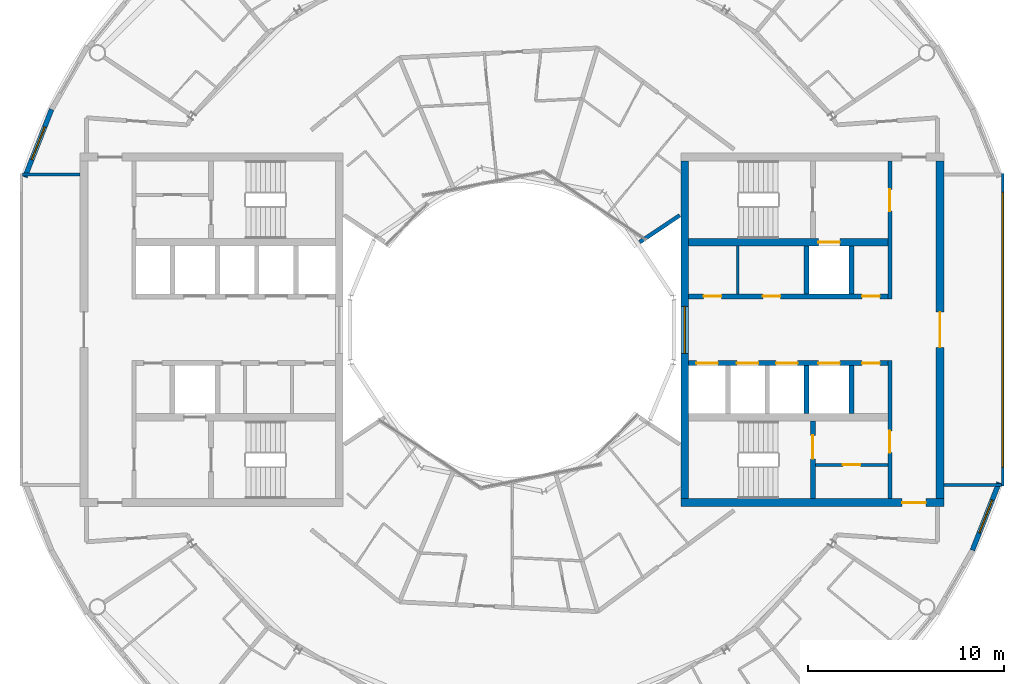
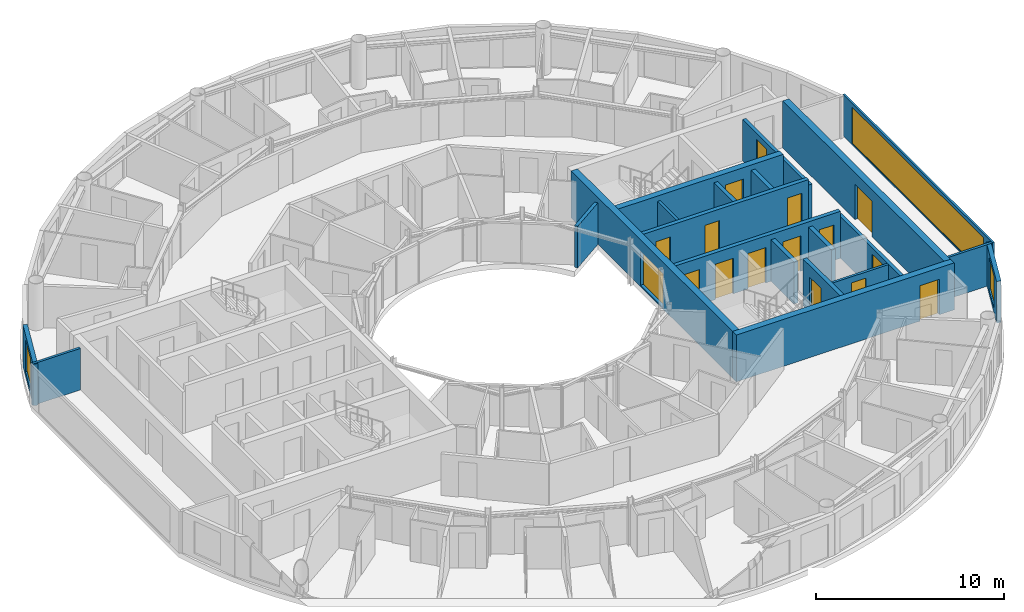
# One storey, part 15 of 22: 21 walls, 15 doors, 4 windows, 19 openings.
"""IFC4 building model written with IfcOpenShell, lengths in metres."""

import ifcopenshell
import ifcopenshell.guid

model = None  # the IFC model being written
_history = None  # IfcOwnerHistory: only IFC2X3 demands one
_inside = {}  # id of a spatial element -> (the spatial element, [elements in it])
_under = {}  # id of a project, library or spatial element -> (it, [spatial elements below it])
_declared = {}  # id of a project -> (the project, [libraries it declares])
_typed = {}  # id of a type object -> (the type object, [elements of that type])
_made_of = {}  # id of a material, layer set ... -> (it, [elements and type objects made of it])


def new_model(schema):
    """Start an empty IFC model of exactly this schema.

    Asked for "IFC4X3", IfcOpenShell would pick the latest addendum, in which some entities
    have other attributes; the version numbers below select the first issue.
    IFC2X3 requires an IfcOwnerHistory on every rooted entity: one is made here for all.
    """
    global model, _history
    if schema == "IFC4X3":
        model = ifcopenshell.file(schema_version=(4, 3, 0, 0))
    else:
        model = ifcopenshell.file(schema=schema)
    _inside.clear()
    _under.clear()
    _declared.clear()
    _typed.clear()
    _made_of.clear()
    _history = None
    if model.schema == "IFC2X3":
        org = make("IfcOrganization", Name="unknown")
        user = make(
            "IfcPersonAndOrganization",
            ThePerson=make("IfcPerson", FamilyName="unknown"),
            TheOrganization=org,
        )
        app = make(
            "IfcApplication",
            ApplicationDeveloper=org,
            Version="unknown",
            ApplicationFullName="unknown",
            ApplicationIdentifier="unknown",
        )
        _history = make(
            "IfcOwnerHistory",
            OwningUser=user,
            OwningApplication=app,
            ChangeAction="ADDED",
            CreationDate=0,
        )
    return model


def make(cls, **values):
    """One entity of the class cls with the attributes given. An attribute that is None is left unset."""
    return model.create_entity(
        cls, **{name: value for name, value in values.items() if value is not None}
    )


def rooted(cls, **values):
    """An entity with a GlobalId (a new one), such as an element, a storey or a relation."""
    return make(cls, GlobalId=ifcopenshell.guid.new(), OwnerHistory=_history, **values)


def si_unit(unit_type, name, prefix=None):
    """IfcSIUnit, for example si_unit("LENGTHUNIT", "METRE", prefix="MILLI")."""
    return make("IfcSIUnit", UnitType=unit_type, Prefix=prefix, Name=name)


def assignment(units):
    """IfcUnitAssignment: the units of a project."""
    return None if units is None else make("IfcUnitAssignment", Units=units)


def point(xyz):
    """IfcCartesianPoint."""
    return None if xyz is None else make("IfcCartesianPoint", Coordinates=xyz)


def direction(xyz):
    """IfcDirection."""
    return None if xyz is None else make("IfcDirection", DirectionRatios=xyz)


def frame(location, z_axis=None, x_axis=None):
    """IfcAxis2Placement3D, a coordinate frame: its origin and axes. An axis left out is left unset."""
    return make(
        "IfcAxis2Placement3D",
        Location=point(location),
        Axis=direction(z_axis),
        RefDirection=direction(x_axis),
    )


def frame_2d(location, x_axis=None):
    """IfcAxis2Placement2D, a coordinate frame in the plane: its origin and x axis."""
    return make(
        "IfcAxis2Placement2D", Location=point(location), RefDirection=direction(x_axis)
    )


def origin():
    """The frame at (0, 0, 0) with its axes left unset."""
    return frame((0.0, 0.0, 0.0))


def place(relative_to, where):
    """IfcLocalPlacement: puts the frame where relative to a parent placement (None: the world)."""
    return make(
        "IfcLocalPlacement", PlacementRelTo=relative_to, RelativePlacement=where
    )


def context(
    kind, dimensions, precision=None, world=None, true_north=None, identifier=None
):
    """IfcGeometricRepresentationContext, for example the 3D "Model" context."""
    return make(
        "IfcGeometricRepresentationContext",
        ContextIdentifier=identifier,
        ContextType=kind,
        CoordinateSpaceDimension=dimensions,
        Precision=precision,
        WorldCoordinateSystem=world,
        TrueNorth=true_north,
    )


def subcontext(parent, identifier, kind, view, scale=None):
    """IfcGeometricRepresentationSubContext, for example "Body" below "Model"."""
    return make(
        "IfcGeometricRepresentationSubContext",
        ContextIdentifier=identifier,
        ContextType=kind,
        ParentContext=parent,
        TargetScale=scale,
        TargetView=view,
    )


def project(units=None, contexts=None):
    """IfcProject with its units and contexts."""
    return rooted(
        "IfcProject",
        Name="project",
        RepresentationContexts=contexts,
        UnitsInContext=assignment(units),
    )


def spatial(cls, under=None, at=None, **own):
    """A site, building, storey or space (cls), placed at a placement, below another one or the project."""
    s = rooted(cls, ObjectPlacement=at, **own)
    if under is not None:
        _under.setdefault(under.id(), (under, []))[1].append(s)
    return s


def profile(cls, at=None, kind="AREA", **sizes):
    """A parametric profile (cls). Its sizes go by their IFC names, for example OverallWidth=200.0."""
    return make(cls, ProfileType=kind, Position=at, **sizes)


def rectangle(**sizes):
    """IfcRectangleProfileDef."""
    return profile("IfcRectangleProfileDef", **sizes)


def extrude(swept, where, along, depth):
    """IfcExtrudedAreaSolid: the profile swept, set in the frame where, extruded along a direction by depth."""
    return make(
        "IfcExtrudedAreaSolid",
        SweptArea=swept,
        Position=where,
        ExtrudedDirection=direction(along),
        Depth=depth,
    )


def shape(context_of_items, identifier, shape_type, items):
    """IfcShapeRepresentation: the items that make up one representation, for example the "Body"."""
    return make(
        "IfcShapeRepresentation",
        ContextOfItems=context_of_items,
        RepresentationIdentifier=identifier,
        RepresentationType=shape_type,
        Items=items,
    )


def material(Name=None, Category=None):
    """IfcMaterial."""
    return make("IfcMaterial", Name=Name, Category=Category)


def layer(
    of_material, thickness, ventilated=None, Name=None, Category=None, Priority=None
):
    """IfcMaterialLayer: one layer of a wall or slab, of a material (None: an air gap)."""
    return make(
        "IfcMaterialLayer",
        Material=of_material,
        LayerThickness=thickness,
        IsVentilated=ventilated,
        Name=Name,
        Category=Category,
        Priority=Priority,
    )


def layer_set(layers, Name=None):
    """IfcMaterialLayerSet."""
    return make("IfcMaterialLayerSet", MaterialLayers=layers, LayerSetName=Name)


def made_of(thing, what):
    """Note that an element or type object is made of a material, layer set ...; save() writes the relation."""
    if what is not None:
        _made_of.setdefault(what.id(), (what, []))[1].append(thing)
    return thing


def type_object(cls, material=None, **own):
    """A type object (cls), such as IfcWallType, which elements share."""
    return made_of(rooted(cls, **own), material)


def element(
    cls,
    number,
    at=None,
    inside=None,
    cuts=None,
    type_object=None,
    material=None,
    context=None,
    identifier="Body",
    shape_type=None,
    held_by="IfcProductDefinitionShape",
    body=None,
    shapes=None,
    **own,
):
    """One element of the class cls, such as IfcWall. Its Tag is "e" and its number.

    at: its placement. inside: the storey or other place that contains it. cuts: it is an
    opening in that element (IfcRelVoidsElement). A single representation is given by context,
    identifier, shape_type and body (its items); several are given by shapes. held_by: the class
    of the entity that holds the representations. save() writes the other relations.
    """
    e = rooted(cls, Tag="e%d" % number, ObjectPlacement=at, **own)
    if body is not None:
        shapes = [shape(context, identifier, shape_type, body)]
    if shapes is not None:
        e.Representation = make(held_by, Representations=shapes)
    if inside is not None:
        _inside.setdefault(inside.id(), (inside, []))[1].append(e)
    if cuts is not None:
        rooted(
            "IfcRelVoidsElement", RelatingBuildingElement=cuts, RelatedOpeningElement=e
        )
    if type_object is not None:
        _typed.setdefault(type_object.id(), (type_object, []))[1].append(e)
    return made_of(e, material)


def fill(opening, filler):
    """IfcRelFillsElement: the door or window that sits in an opening."""
    return rooted(
        "IfcRelFillsElement",
        RelatingOpeningElement=opening,
        RelatedBuildingElement=filler,
    )


def aggregate(whole, parts):
    """IfcRelAggregates: a whole, such as a stair, and the parts it consists of."""
    return rooted("IfcRelAggregates", RelatingObject=whole, RelatedObjects=parts)


def save(model, path):
    """Write the relations noted so far, then the file.

    IfcRelAggregates (storeys below a building ...), IfcRelContainedInSpatialStructure (elements
    in a storey), IfcRelDefinesByType, IfcRelAssociatesMaterial and IfcRelDeclares: one each for
    every whole, place, type object, material and project.
    """
    for whole, parts in _under.values():
        aggregate(whole, parts)
    for where, things in _inside.values():
        rooted(
            "IfcRelContainedInSpatialStructure",
            RelatedElements=things,
            RelatingStructure=where,
        )
    for kind, things in _typed.values():
        rooted("IfcRelDefinesByType", RelatedObjects=things, RelatingType=kind)
    for what, things in _made_of.values():
        rooted("IfcRelAssociatesMaterial", RelatedObjects=things, RelatingMaterial=what)
    for by, libraries in _declared.values():
        rooted("IfcRelDeclares", RelatingContext=by, RelatedDefinitions=libraries)
    model.write(path)


model = new_model("IFC4")

# Units and contexts
model_context = context("Model", 3, precision=1e-05, world=origin(), true_north=direction((0.0, 1.0)))
body_context = subcontext(model_context, "Body", "Model", "MODEL_VIEW")
ifc_project = project(units=[si_unit("LENGTHUNIT", "METRE"), si_unit("AREAUNIT", "SQUARE_METRE"), si_unit("VOLUMEUNIT", "CUBIC_METRE"), si_unit("PLANEANGLEUNIT", "RADIAN"), si_unit("MASSUNIT", "GRAM", prefix="KILO")], contexts=[model_context])

# Site, building, storey
site_placement = place(None, origin())
site = spatial("IfcSite", under=ifc_project, at=site_placement, CompositionType="ELEMENT")
building_placement = place(site_placement, origin())
building = spatial("IfcBuilding", under=site, at=building_placement, Name="Maasbend Ring Residences", CompositionType="ELEMENT")
storey_placement = place(building_placement, frame((0.0, 0.0, 237.10009765625)))
storey = spatial("IfcBuildingStorey", under=building, at=storey_placement, Name="L68", CompositionType="ELEMENT", Elevation=237.10009765625)

# Wall, openings, doors
ifc_material_1 = material(Name="Concrete C50/60", Category="concrete")
ifc_layer_1 = layer(ifc_material_1, 0.25)
ifc_layer_set_1 = layer_set([ifc_layer_1], Name="Concrete C50/60")
wall_type_1 = type_object("IfcWallType", Name="CORE WALL 250 C50/60", PredefinedType="SHEAR", material=ifc_layer_set_1)
wall_1_placement = place(storey_placement, frame((9.0, 1.699951171875, 0.0), z_axis=(0.0, 0.0, 1.0), x_axis=(1.0, 0.0, 0.0)))
wall_1 = element("IfcWall", 1, at=wall_1_placement, inside=storey, type_object=wall_type_1, Name="L68 core E wall SPN", PredefinedType="SHEAR", context=body_context, shape_type="SweptSolid", body=[
    extrude(rectangle(XDim=10.14990234375, YDim=0.25, at=frame_2d((5.074951171875, 0.0))), origin(), (0.0, 0.0, 1.0), 3.0498046875),
])
opening_1_placement = place(wall_1_placement, frame((0.762451171875, 0.0, 0.0)))
opening_1 = element("IfcOpeningElement", 2, at=opening_1_placement, cuts=wall_1, Name="Opening D-E6806", PredefinedType="OPENING", context=body_context, shape_type="SweptSolid", body=[
    extrude(rectangle(XDim=0.89990234375, YDim=2.300048828125, at=frame_2d((0.449951171875, 1.14990234375))), frame((0.0, 0.135009765625, 0.0), z_axis=(0.0, -1.0, 0.0), x_axis=(1.0, 0.0, 0.0)), (0.0, 0.0, 1.0), 0.27001953125),
])
opening_2_placement = place(wall_1_placement, frame((3.77490234375, 0.0, 0.0)))
opening_2 = element("IfcOpeningElement", 3, at=opening_2_placement, cuts=wall_1, Name="Opening D-E6807", PredefinedType="OPENING", context=body_context, shape_type="SweptSolid", body=[
    extrude(rectangle(XDim=0.89990234375, YDim=2.300048828125, at=frame_2d((0.449951171875, 1.14990234375))), frame((0.0, 0.135009765625, 0.0), z_axis=(0.0, -1.0, 0.0), x_axis=(1.0, 0.0, 0.0)), (0.0, 0.0, 1.0), 0.27001953125),
])
opening_3_placement = place(wall_1_placement, frame((8.83740234375, 0.0, 0.0)))
opening_3 = element("IfcOpeningElement", 4, at=opening_3_placement, cuts=wall_1, Name="Opening D-E6808", PredefinedType="OPENING", context=body_context, shape_type="SweptSolid", body=[
    extrude(rectangle(XDim=0.89990234375, YDim=2.300048828125, at=frame_2d((0.449951171875, 1.14990234375))), frame((0.0, 0.135009765625, 0.0), z_axis=(0.0, -1.0, 0.0), x_axis=(1.0, 0.0, 0.0)), (0.0, 0.0, 1.0), 0.27001953125),
])
ifc_material_2 = material(Name="Steel, powder coated", Category="steel")
door_type_1 = type_object("IfcDoorType", Name="ROOM DOOR 900 X 2300 FD30S", OperationType="NOTDEFINED", PredefinedType="DOOR", material=ifc_material_2)
door_1_placement = place(opening_1_placement, origin())
door_1 = element("IfcDoor", 5, at=door_1_placement, inside=storey, type_object=door_type_1, Name="Room door L68", OperationType="SINGLE_SWING_RIGHT", OverallHeight=2.300048828125, OverallWidth=0.89990234375, PredefinedType="DOOR", context=body_context, shape_type="SweptSolid", body=[
    extrude(rectangle(XDim=0.89990234375, YDim=2.300048828125, at=frame_2d((0.449951171875, 1.14990234375))), frame((0.0, 0.02490234375, 0.0), z_axis=(0.0, -1.0, 0.0), x_axis=(1.0, 0.0, 0.0)), (0.0, 0.0, 1.0), 0.050048828125),
])
fill(opening_1, door_1)
door_2_placement = place(opening_2_placement, origin())
door_2 = element("IfcDoor", 6, at=door_2_placement, inside=storey, type_object=door_type_1, Name="Room door L68", OperationType="SINGLE_SWING_RIGHT", OverallHeight=2.300048828125, OverallWidth=0.89990234375, PredefinedType="DOOR", context=body_context, shape_type="SweptSolid", body=[
    extrude(rectangle(XDim=0.89990234375, YDim=2.300048828125, at=frame_2d((0.449951171875, 1.14990234375))), frame((0.0, 0.02490234375, 0.0), z_axis=(0.0, -1.0, 0.0), x_axis=(1.0, 0.0, 0.0)), (0.0, 0.0, 1.0), 0.050048828125),
])
fill(opening_2, door_2)
door_3_placement = place(opening_3_placement, origin())
door_3 = element("IfcDoor", 7, at=door_3_placement, inside=storey, type_object=door_type_1, Name="Room door L68", OperationType="SINGLE_SWING_LEFT", OverallHeight=2.300048828125, OverallWidth=0.89990234375, PredefinedType="DOOR", context=body_context, shape_type="SweptSolid", body=[
    extrude(rectangle(XDim=0.89990234375, YDim=2.300048828125, at=frame_2d((0.449951171875, 1.14990234375))), frame((0.0, 0.02490234375, 0.0), z_axis=(0.0, -1.0, 0.0), x_axis=(1.0, 0.0, 0.0)), (0.0, 0.0, 1.0), 0.050048828125),
])
fill(opening_3, door_3)

wall_2_placement = place(storey_placement, frame((19.14990234375, -1.699951171875, 0.0), z_axis=(0.0, 0.0, 1.0), x_axis=(-1.0, 0.0, 0.0)))
wall_2 = element("IfcWall", 8, at=wall_2_placement, inside=storey, type_object=wall_type_1, Name="L68 core E wall SPS", PredefinedType="SHEAR", context=body_context, shape_type="SweptSolid", body=[
    extrude(rectangle(XDim=10.14990234375, YDim=0.25, at=frame_2d((5.074951171875, 0.0))), origin(), (0.0, 0.0, 1.0), 3.0498046875),
])
opening_4_placement = place(wall_2_placement, frame((8.66259765625, 0.0, 0.0)))
opening_4 = element("IfcOpeningElement", 9, at=opening_4_placement, cuts=wall_2, Name="Opening LD-E6802", PredefinedType="OPENING", context=body_context, shape_type="SweptSolid", body=[
    extrude(rectangle(XDim=1.10009765625, YDim=2.300048828125, at=frame_2d((0.550048828125, 1.14990234375))), frame((0.0, 0.135009765625, 0.0), z_axis=(0.0, -1.0, 0.0), x_axis=(1.0, 0.0, 0.0)), (0.0, 0.0, 1.0), 0.27001953125),
])
opening_5_placement = place(wall_2_placement, frame((6.60009765625, 0.0, 0.0)))
opening_5 = element("IfcOpeningElement", 10, at=opening_5_placement, cuts=wall_2, Name="Opening LD-E6803", PredefinedType="OPENING", context=body_context, shape_type="SweptSolid", body=[
    extrude(rectangle(XDim=1.10009765625, YDim=2.300048828125, at=frame_2d((0.550048828125, 1.14990234375))), frame((0.0, 0.135009765625, 0.0), z_axis=(0.0, -1.0, 0.0), x_axis=(1.0, 0.0, 0.0)), (0.0, 0.0, 1.0), 0.27001953125),
])
opening_6_placement = place(wall_2_placement, frame((4.60009765625, 0.0, 0.0)))
opening_6 = element("IfcOpeningElement", 11, at=opening_6_placement, cuts=wall_2, Name="Opening LD-E6804", PredefinedType="OPENING", context=body_context, shape_type="SweptSolid", body=[
    extrude(rectangle(XDim=1.10009765625, YDim=2.300048828125, at=frame_2d((0.550048828125, 1.14990234375))), frame((0.0, 0.135009765625, 0.0), z_axis=(0.0, -1.0, 0.0), x_axis=(1.0, 0.0, 0.0)), (0.0, 0.0, 1.0), 0.27001953125),
])
opening_7_placement = place(wall_2_placement, frame((2.449951171875, 0.0, 0.0)))
opening_7 = element("IfcOpeningElement", 12, at=opening_7_placement, cuts=wall_2, Name="Opening LD-E6805", PredefinedType="OPENING", context=body_context, shape_type="SweptSolid", body=[
    extrude(rectangle(XDim=1.10009765625, YDim=2.300048828125, at=frame_2d((0.550048828125, 1.14990234375))), frame((0.0, 0.135009765625, 0.0), z_axis=(0.0, -1.0, 0.0), x_axis=(1.0, 0.0, 0.0)), (0.0, 0.0, 1.0), 0.27001953125),
])
opening_8_placement = place(wall_2_placement, frame((0.41259765625, 0.0, 0.0)))
opening_8 = element("IfcOpeningElement", 13, at=opening_8_placement, cuts=wall_2, Name="Opening D-E6809", PredefinedType="OPENING", context=body_context, shape_type="SweptSolid", body=[
    extrude(rectangle(XDim=0.89990234375, YDim=2.300048828125, at=frame_2d((0.449951171875, 1.14990234375))), frame((0.0, 0.135009765625, 0.0), z_axis=(0.0, -1.0, 0.0), x_axis=(1.0, 0.0, 0.0)), (0.0, 0.0, 1.0), 0.27001953125),
])
ifc_material_3 = material(Name="Stainless steel 316", Category="steel")
door_type_2 = type_object("IfcDoorType", Name="LANDING DOOR 1100 X 2300 FD60", OperationType="DOUBLE_DOOR_SLIDING", PredefinedType="DOOR", material=ifc_material_3)
door_4_placement = place(opening_4_placement, origin())
door_4 = element("IfcDoor", 14, at=door_4_placement, inside=storey, type_object=door_type_2, Name="Landing door HR-E1 L68", OperationType="DOUBLE_DOOR_SLIDING", OverallHeight=2.300048828125, OverallWidth=1.10009765625, PredefinedType="DOOR", context=body_context, shape_type="SweptSolid", body=[
    extrude(rectangle(XDim=1.10009765625, YDim=2.300048828125, at=frame_2d((0.550048828125, 1.14990234375))), frame((0.0, 0.02490234375, 0.0), z_axis=(0.0, -1.0, 0.0), x_axis=(1.0, 0.0, 0.0)), (0.0, 0.0, 1.0), 0.050048828125),
])
fill(opening_4, door_4)
door_5_placement = place(opening_5_placement, origin())
door_5 = element("IfcDoor", 15, at=door_5_placement, inside=storey, type_object=door_type_2, Name="Landing door HR-E2 L68", OperationType="DOUBLE_DOOR_SLIDING", OverallHeight=2.300048828125, OverallWidth=1.10009765625, PredefinedType="DOOR", context=body_context, shape_type="SweptSolid", body=[
    extrude(rectangle(XDim=1.10009765625, YDim=2.300048828125, at=frame_2d((0.550048828125, 1.14990234375))), frame((0.0, 0.02490234375, 0.0), z_axis=(0.0, -1.0, 0.0), x_axis=(1.0, 0.0, 0.0)), (0.0, 0.0, 1.0), 0.050048828125),
])
fill(opening_5, door_5)
door_6_placement = place(opening_6_placement, origin())
door_6 = element("IfcDoor", 16, at=door_6_placement, inside=storey, type_object=door_type_2, Name="Landing door HR-E3 L68", OperationType="DOUBLE_DOOR_SLIDING", OverallHeight=2.300048828125, OverallWidth=1.10009765625, PredefinedType="DOOR", context=body_context, shape_type="SweptSolid", body=[
    extrude(rectangle(XDim=1.10009765625, YDim=2.300048828125, at=frame_2d((0.550048828125, 1.14990234375))), frame((0.0, 0.02490234375, 0.0), z_axis=(0.0, -1.0, 0.0), x_axis=(1.0, 0.0, 0.0)), (0.0, 0.0, 1.0), 0.050048828125),
])
fill(opening_6, door_6)
door_7_placement = place(opening_7_placement, origin())
door_7 = element("IfcDoor", 17, at=door_7_placement, inside=storey, type_object=door_type_2, Name="Landing door SV-E L68", OperationType="DOUBLE_DOOR_SLIDING", OverallHeight=2.300048828125, OverallWidth=1.10009765625, PredefinedType="DOOR", context=body_context, shape_type="SweptSolid", body=[
    extrude(rectangle(XDim=1.10009765625, YDim=2.300048828125, at=frame_2d((0.550048828125, 1.14990234375))), frame((0.0, 0.02490234375, 0.0), z_axis=(0.0, -1.0, 0.0), x_axis=(1.0, 0.0, 0.0)), (0.0, 0.0, 1.0), 0.050048828125),
])
fill(opening_7, door_7)
door_8_placement = place(opening_8_placement, origin())
door_8 = element("IfcDoor", 18, at=door_8_placement, inside=storey, type_object=door_type_1, Name="Room door L68", OperationType="SINGLE_SWING_RIGHT", OverallHeight=2.300048828125, OverallWidth=0.89990234375, PredefinedType="DOOR", context=body_context, shape_type="SweptSolid", body=[
    extrude(rectangle(XDim=0.89990234375, YDim=2.300048828125, at=frame_2d((0.449951171875, 1.14990234375))), frame((0.0, 0.02490234375, 0.0), z_axis=(0.0, -1.0, 0.0), x_axis=(1.0, 0.0, 0.0)), (0.0, 0.0, 1.0), 0.050048828125),
])
fill(opening_8, door_8)

# Wall, opening, door
wall_3_placement = place(storey_placement, frame((15.324951171875, -8.60009765625, 0.0), z_axis=(0.0, 0.0, 1.0), x_axis=(0.0, 1.0, 0.0)))
wall_3 = element("IfcWall", 19, at=wall_3_placement, inside=storey, type_object=wall_type_1, Name="L68 core E wall STES", PredefinedType="SHEAR", context=body_context, shape_type="SweptSolid", body=[
    extrude(rectangle(XDim=3.9501953125, YDim=0.25, at=frame_2d((1.97509765625, 0.0))), origin(), (0.0, 0.0, 1.0), 3.0498046875),
])
opening_9_placement = place(wall_3_placement, frame((2.02490234375, 0.0, 0.0)))
opening_9 = element("IfcOpeningElement", 20, at=opening_9_placement, cuts=wall_3, Name="Opening D-E6812", PredefinedType="OPENING", context=body_context, shape_type="SweptSolid", body=[
    extrude(rectangle(XDim=1.199951171875, YDim=2.300048828125, at=frame_2d((0.60009765625, 1.14990234375))), frame((0.0, 0.135009765625, 0.0), z_axis=(0.0, -1.0, 0.0), x_axis=(1.0, 0.0, 0.0)), (0.0, 0.0, 1.0), 0.27001953125),
])
ifc_material_4 = material(Name="Steel, powder coated", Category="steel")
door_type_3 = type_object("IfcDoorType", Name="STAIR DOOR 1200 X 2300 FD60", OperationType="NOTDEFINED", PredefinedType="DOOR", material=ifc_material_4)
door_9_placement = place(opening_9_placement, origin())
door_9 = element("IfcDoor", 21, at=door_9_placement, inside=storey, type_object=door_type_3, Name="Stair door ST-E L68", OperationType="SINGLE_SWING_LEFT", OverallHeight=2.300048828125, OverallWidth=1.199951171875, PredefinedType="DOOR", context=body_context, shape_type="SweptSolid", body=[
    extrude(rectangle(XDim=1.199951171875, YDim=2.300048828125, at=frame_2d((0.60009765625, 1.14990234375))), frame((0.0, 0.02490234375, 0.0), z_axis=(0.0, -1.0, 0.0), x_axis=(1.0, 0.0, 0.0)), (0.0, 0.0, 1.0), 0.050048828125),
])
fill(opening_9, door_9)

ifc_material_5 = material(Name="Concrete C50/60", Category="concrete")
ifc_layer_2 = layer(ifc_material_5, 0.375)
ifc_layer_set_2 = layer_set([ifc_layer_2], Name="Concrete C50/60")
wall_type_2 = type_object("IfcWallType", Name="CORE WALL 375 C50/60", PredefinedType="SHEAR", material=ifc_layer_set_2)
wall_4_placement = place(storey_placement, frame((9.0, 4.46240234375, 0.0), z_axis=(0.0, 0.0, 1.0), x_axis=(1.0, 0.0, 0.0)))
wall_4 = element("IfcWall", 22, at=wall_4_placement, inside=storey, type_object=wall_type_2, Name="L68 core E wall BN", PredefinedType="SHEAR", context=body_context, shape_type="SweptSolid", body=[
    extrude(rectangle(XDim=10.14990234375, YDim=0.375, at=frame_2d((5.074951171875, 0.0))), origin(), (0.0, 0.0, 1.0), 3.0498046875),
])
opening_10_placement = place(wall_4_placement, frame((6.60009765625, 0.0, 0.0)))
opening_10 = element("IfcOpeningElement", 23, at=opening_10_placement, cuts=wall_4, Name="Opening LD-E6801", PredefinedType="OPENING", context=body_context, shape_type="SweptSolid", body=[
    extrude(rectangle(XDim=1.10009765625, YDim=2.300048828125, at=frame_2d((0.550048828125, 1.14990234375))), frame((0.0, 0.197509765625, 0.0), z_axis=(0.0, -1.0, 0.0), x_axis=(1.0, 0.0, 0.0)), (0.0, 0.0, 1.0), 0.39501953125),
])
door_10_placement = place(opening_10_placement, origin())
door_10 = element("IfcDoor", 24, at=door_10_placement, inside=storey, type_object=door_type_2, Name="Landing door FF-E L68", OperationType="DOUBLE_DOOR_SLIDING", OverallHeight=2.300048828125, OverallWidth=1.10009765625, PredefinedType="DOOR", context=body_context, shape_type="SweptSolid", body=[
    extrude(rectangle(XDim=1.10009765625, YDim=2.300048828125, at=frame_2d((0.550048828125, 1.14990234375))), frame((0.0, 0.02490234375, 0.0), z_axis=(0.0, -1.0, 0.0), x_axis=(1.0, 0.0, 0.0)), (0.0, 0.0, 1.0), 0.050048828125),
])
fill(opening_10, door_10)

ifc_material_6 = material(Name="Concrete C50/60", Category="concrete")
ifc_layer_3 = layer(ifc_material_6, 0.39990234375)
ifc_layer_set_3 = layer_set([ifc_layer_3], Name="Concrete C50/60")
wall_type_3 = type_object("IfcWallType", Name="CORE WALL 400 C50/60", PredefinedType="SHEAR", material=ifc_layer_set_3)
wall_5_placement = place(storey_placement, frame((8.60009765625, -8.800048828125, 0.0), z_axis=(0.0, 0.0, 1.0), x_axis=(1.0, 0.0, 0.0)))
wall_5 = element("IfcWall", 25, at=wall_5_placement, inside=storey, type_object=wall_type_3, Name="L68 core E wall PS", PredefinedType="SHEAR", context=body_context, shape_type="SweptSolid", body=[
    extrude(rectangle(XDim=13.39990234375, YDim=0.39990234375, at=frame_2d((6.699951171875, 0.0))), origin(), (0.0, 0.0, 1.0), 3.0498046875),
])
opening_11_placement = place(wall_5_placement, frame((11.27490234375, 0.0, 0.0)))
opening_11 = element("IfcOpeningElement", 26, at=opening_11_placement, cuts=wall_5, Name="Opening D-E6816", PredefinedType="OPENING", context=body_context, shape_type="SweptSolid", body=[
    extrude(rectangle(XDim=1.199951171875, YDim=2.300048828125, at=frame_2d((0.60009765625, 1.14990234375))), frame((0.0, 0.2099609375, 0.0), z_axis=(0.0, -1.0, 0.0), x_axis=(1.0, 0.0, 0.0)), (0.0, 0.0, 1.0), 0.419921875),
])
ifc_material_7 = material(Name="Steel, powder coated", Category="steel")
door_type_4 = type_object("IfcDoorType", Name="CORRIDOR DOOR 1200 X 2300 FD30S", OperationType="NOTDEFINED", PredefinedType="DOOR", material=ifc_material_7)
door_11_placement = place(opening_11_placement, origin())
door_11 = element("IfcDoor", 27, at=door_11_placement, inside=storey, type_object=door_type_4, Name="Corridor door L68", OperationType="SINGLE_SWING_LEFT", OverallHeight=2.300048828125, OverallWidth=1.199951171875, PredefinedType="DOOR", context=body_context, shape_type="SweptSolid", body=[
    extrude(rectangle(XDim=1.199951171875, YDim=2.300048828125, at=frame_2d((0.60009765625, 1.14990234375))), frame((0.0, 0.02490234375, 0.0), z_axis=(0.0, -1.0, 0.0), x_axis=(1.0, 0.0, 0.0)), (0.0, 0.0, 1.0), 0.050048828125),
])
fill(opening_11, door_11)

wall_6_placement = place(storey_placement, frame((21.800048828125, 8.60009765625, 0.0), z_axis=(0.0, 0.0, 1.0), x_axis=(0.0, -1.0, 0.0)))
wall_6 = element("IfcWall", 28, at=wall_6_placement, inside=storey, type_object=wall_type_3, Name="L68 core E wall POUT", PredefinedType="SHEAR", context=body_context, shape_type="SweptSolid", body=[
    extrude(rectangle(XDim=17.2001953125, YDim=0.39990234375, at=frame_2d((8.60009765625, 0.0))), origin(), (0.0, 0.0, 1.0), 3.0498046875),
])
opening_12_placement = place(wall_6_placement, frame((7.699951171875, 0.0, 0.0)))
opening_12 = element("IfcOpeningElement", 29, at=opening_12_placement, cuts=wall_6, Name="Opening D-E6817", PredefinedType="OPENING", context=body_context, shape_type="SweptSolid", body=[
    extrude(rectangle(XDim=1.800048828125, YDim=2.300048828125, at=frame_2d((0.89990234375, 1.14990234375))), frame((0.0, 0.2099609375, 0.0), z_axis=(0.0, -1.0, 0.0), x_axis=(1.0, 0.0, 0.0)), (0.0, 0.0, 1.0), 0.419921875),
])
ifc_material_8 = material(Name="Aluminium frame, clear glass", Category="aluminium")
door_type_5 = type_object("IfcDoorType", Name="ENTRANCE DOOR 1800 X 2300 FD60", OperationType="NOTDEFINED", PredefinedType="DOOR", material=ifc_material_8)
door_12_placement = place(opening_12_placement, origin())
door_12 = element("IfcDoor", 30, at=door_12_placement, inside=storey, type_object=door_type_5, Name="Lobby glazed door L68", OperationType="SINGLE_SWING_LEFT", OverallHeight=2.300048828125, OverallWidth=1.800048828125, PredefinedType="DOOR", context=body_context, shape_type="SweptSolid", body=[
    extrude(rectangle(XDim=1.800048828125, YDim=2.300048828125, at=frame_2d((0.89990234375, 1.14990234375))), frame((0.0, 0.02490234375, 0.0), z_axis=(0.0, -1.0, 0.0), x_axis=(1.0, 0.0, 0.0)), (0.0, 0.0, 1.0), 0.050048828125),
])
fill(opening_12, door_12)

# Wall, opening, window
wall_7_placement = place(storey_placement, frame((8.800048828125, -8.60009765625, 0.0), z_axis=(0.0, 0.0, 1.0), x_axis=(0.0, 1.0, 0.0)))
wall_7 = element("IfcWall", 31, at=wall_7_placement, inside=storey, type_object=wall_type_3, Name="L68 core E wall PIN", PredefinedType="SHEAR", context=body_context, shape_type="SweptSolid", body=[
    extrude(rectangle(XDim=17.2001953125, YDim=0.39990234375, at=frame_2d((8.60009765625, 0.0))), origin(), (0.0, 0.0, 1.0), 3.0498046875),
])
opening_13_placement = place(wall_7_placement, frame((7.39990234375, 0.0, 0.10009765625)))
opening_13 = element("IfcOpeningElement", 32, at=opening_13_placement, cuts=wall_7, Name="Opening W-E6801", PredefinedType="OPENING", context=body_context, shape_type="SweptSolid", body=[
    extrude(rectangle(XDim=2.39990234375, YDim=2.199951171875, at=frame_2d((1.199951171875, 1.10009765625))), frame((0.0, 0.2099609375, 0.0), z_axis=(0.0, -1.0, 0.0), x_axis=(1.0, 0.0, 0.0)), (0.0, 0.0, 1.0), 0.419921875),
])
ifc_material_9 = material(Name="Aluminium frame and clear glass", Category="aluminium")
window_type_1 = type_object("IfcWindowType", Name="FIXED WINDOW 2400 X 2200", PartitioningType="SINGLE_PANEL", PredefinedType="WINDOW", material=ifc_material_9)
window_1_placement = place(opening_13_placement, origin())
window_1 = element("IfcWindow", 33, at=window_1_placement, inside=storey, type_object=window_type_1, Name="Lobby window L68", OverallHeight=2.199951171875, OverallWidth=2.39990234375, PartitioningType="SINGLE_PANEL", PredefinedType="WINDOW", context=body_context, shape_type="SweptSolid", body=[
    extrude(rectangle(XDim=2.39990234375, YDim=2.199951171875, at=frame_2d((1.199951171875, 1.10009765625))), frame((0.0, 0.030029296875, 0.0), z_axis=(0.0, -1.0, 0.0), x_axis=(1.0, 0.0, 0.0)), (0.0, 0.0, 1.0), 0.06005859375),
])
fill(opening_13, window_1)

ifc_material_10 = material(Name="Aluminium clad insulated panel", Category="aluminium")
ifc_layer_4 = layer(ifc_material_10, 0.25)
ifc_layer_set_4 = layer_set([ifc_layer_4], Name="EW-HORN")
wall_type_4 = type_object("IfcWallType", Name="EW-HORN", PredefinedType="SOLIDWALL", material=ifc_layer_set_4)
wall_8_placement = place(storey_placement, frame((23.451904296875, -11.22607421875, 0.0), z_axis=(0.0, 0.0, 1.0), x_axis=(0.366351636034, 0.930476479432, 0.0)))
wall_8 = element("IfcWall", 34, at=wall_8_placement, inside=storey, type_object=wall_type_4, Name="Horn wall 2.2", PredefinedType="SOLIDWALL", context=body_context, shape_type="SweptSolid", body=[
    extrude(rectangle(XDim=3.70458984375, YDim=0.25, at=frame_2d((1.852294921875, 0.0))), origin(), (0.0, 0.0, 1.0), 2.699951171875),
])
opening_14_placement = place(wall_8_placement, frame((0.952392578125, 0.0, 0.300048828125)))
opening_14 = element("IfcOpeningElement", 35, at=opening_14_placement, cuts=wall_8, Name="Opening W-BX", PredefinedType="OPENING", context=body_context, shape_type="SweptSolid", body=[
    extrude(rectangle(XDim=1.800048828125, YDim=2.10009765625, at=frame_2d((0.89990234375, 1.050048828125))), frame((0.0, 0.135009765625, 0.0), z_axis=(0.0, -1.0, 0.0), x_axis=(1.0, 0.0, 0.0)), (0.0, 0.0, 1.0), 0.27001953125),
])
ifc_material_11 = material(Name="Aluminium and clear glass", Category="aluminium")
window_type_2 = type_object("IfcWindowType", Name="W-BX", PartitioningType="DOUBLE_PANEL_VERTICAL", PredefinedType="WINDOW", material=ifc_material_11)
window_2_placement = place(opening_14_placement, origin())
window_2 = element("IfcWindow", 36, at=window_2_placement, inside=storey, type_object=window_type_2, Name="Horn window 2.2", OverallHeight=2.10009765625, OverallWidth=1.800048828125, PartitioningType="SINGLE_PANEL", PredefinedType="WINDOW", context=body_context, shape_type="SweptSolid", body=[
    extrude(rectangle(XDim=1.800048828125, YDim=2.10009765625, at=frame_2d((0.89990234375, 1.050048828125))), frame((0.0, 0.030029296875, 0.0), z_axis=(0.0, -1.0, 0.0), x_axis=(1.0, 0.0, 0.0)), (0.0, 0.0, 1.0), 0.06005859375),
])
fill(opening_14, window_2)

wall_9_placement = place(storey_placement, frame((-23.451904296875, 11.22607421875, 0.0), z_axis=(0.0, 0.0, 1.0), x_axis=(-0.366351636034, -0.930476479432, 0.0)))
wall_9 = element("IfcWall", 37, at=wall_9_placement, inside=storey, type_object=wall_type_4, Name="Horn wall 4.2", PredefinedType="SOLIDWALL", context=body_context, shape_type="SweptSolid", body=[
    extrude(rectangle(XDim=3.70458984375, YDim=0.25, at=frame_2d((1.852294921875, 0.0))), origin(), (0.0, 0.0, 1.0), 2.699951171875),
])
opening_15_placement = place(wall_9_placement, frame((0.952392578125, 0.0, 0.300048828125)))
opening_15 = element("IfcOpeningElement", 38, at=opening_15_placement, cuts=wall_9, Name="Opening W-BX", PredefinedType="OPENING", context=body_context, shape_type="SweptSolid", body=[
    extrude(rectangle(XDim=1.800048828125, YDim=2.10009765625, at=frame_2d((0.89990234375, 1.050048828125))), frame((0.0, 0.135009765625, 0.0), z_axis=(0.0, -1.0, 0.0), x_axis=(1.0, 0.0, 0.0)), (0.0, 0.0, 1.0), 0.27001953125),
])
window_3_placement = place(opening_15_placement, origin())
window_3 = element("IfcWindow", 39, at=window_3_placement, inside=storey, type_object=window_type_2, Name="Horn window 4.2", OverallHeight=2.10009765625, OverallWidth=1.800048828125, PartitioningType="SINGLE_PANEL", PredefinedType="WINDOW", context=body_context, shape_type="SweptSolid", body=[
    extrude(rectangle(XDim=1.800048828125, YDim=2.10009765625, at=frame_2d((0.89990234375, 1.050048828125))), frame((0.0, 0.030029296875, 0.0), z_axis=(0.0, -1.0, 0.0), x_axis=(1.0, 0.0, 0.0)), (0.0, 0.0, 1.0), 0.06005859375),
])
fill(opening_15, window_3)

ifc_material_12 = material(Name="Aluminium frame and clear glass", Category="aluminium")
ifc_layer_5 = layer(ifc_material_12, 0.1201171875)
ifc_layer_set_5 = layer_set([ifc_layer_5], Name="GLAZED SCREEN WALL 120 EI 60")
wall_type_5 = type_object("IfcWallType", Name="GLAZED SCREEN WALL 120 EI 60", PredefinedType="PARTITIONING", material=ifc_layer_set_5)
wall_10_placement = place(storey_placement, frame((25.0, -7.949951171875, 0.0), z_axis=(0.0, 0.0, 1.0), x_axis=(0.0, 1.0, 0.0)))
wall_10 = element("IfcWall", 40, at=wall_10_placement, inside=storey, type_object=wall_type_5, Name="L68 core E wall FACE", PredefinedType="PARTITIONING", context=body_context, shape_type="SweptSolid", body=[
    extrude(rectangle(XDim=15.89990234375, YDim=0.1201171875, at=frame_2d((7.949951171875, 0.0))), origin(), (0.0, 0.0, 1.0), 2.699951171875),
])
opening_16_placement = place(wall_10_placement, frame((0.949951171875, 0.0, 0.10009765625)))
opening_16 = element("IfcOpeningElement", 41, at=opening_16_placement, cuts=wall_10, Name="Opening W-E6802", PredefinedType="OPENING", context=body_context, shape_type="SweptSolid", body=[
    extrude(rectangle(XDim=14.0, YDim=2.35009765625, at=frame_2d((7.0, 1.175048828125))), frame((0.0, 0.070068359375, 0.0), z_axis=(0.0, -1.0, 0.0), x_axis=(1.0, 0.0, 0.0)), (0.0, 0.0, 1.0), 0.14013671875),
])
ifc_material_13 = material(Name="Aluminium frame and clear glass", Category="aluminium")
window_type_3 = type_object("IfcWindowType", Name="FIXED WINDOW 14000 X 2350", PartitioningType="SINGLE_PANEL", PredefinedType="WINDOW", material=ifc_material_13)
window_4_placement = place(opening_16_placement, origin())
window_4 = element("IfcWindow", 42, at=window_4_placement, inside=storey, type_object=window_type_3, Name="Lobby window L68", OverallHeight=2.35009765625, OverallWidth=14.0, PartitioningType="SINGLE_PANEL", PredefinedType="WINDOW", context=body_context, shape_type="SweptSolid", body=[
    extrude(rectangle(XDim=14.0, YDim=2.35009765625, at=frame_2d((7.0, 1.175048828125))), frame((0.0, 0.030029296875, 0.0), z_axis=(0.0, -1.0, 0.0), x_axis=(1.0, 0.0, 0.0)), (0.0, 0.0, 1.0), 0.06005859375),
])
fill(opening_16, window_4)

# Wall
ifc_material_14 = material(Name="Gypsum board on steel studs", Category="steel")
ifc_layer_6 = layer(ifc_material_14, 0.14990234375)
ifc_layer_set_6 = layer_set([ifc_layer_6], Name="PARTITION 150 EI 60")
wall_type_6 = type_object("IfcWallType", Name="PARTITION 150 EI 60", PredefinedType="PARTITIONING", material=ifc_layer_set_6)
wall_11_placement = place(storey_placement, frame((11.5, 1.824951171875, 0.0), z_axis=(0.0, 0.0, 1.0), x_axis=(0.0, 1.0, 0.0)))
element("IfcWall", 43, at=wall_11_placement, inside=storey, type_object=wall_type_6, Name="L68 core E wall PRN1150", PredefinedType="PARTITIONING", context=body_context, shape_type="SweptSolid", body=[
    extrude(rectangle(XDim=2.449951171875, YDim=0.14990234375, at=frame_2d((1.22509765625, 0.0))), origin(), (0.0, 0.0, 1.0), 2.699951171875),
])

# Wall, opening, door
wall_12_placement = place(storey_placement, frame((15.449951171875, -6.875, 0.0), z_axis=(0.0, 0.0, 1.0), x_axis=(1.0, 0.0, 0.0)))
wall_12 = element("IfcWall", 44, at=wall_12_placement, inside=storey, type_object=wall_type_6, Name="L68 core E wall RHS", PredefinedType="PARTITIONING", context=body_context, shape_type="SweptSolid", body=[
    extrude(rectangle(XDim=3.699951171875, YDim=0.14990234375, at=frame_2d((1.85009765625, 0.0))), origin(), (0.0, 0.0, 1.0), 2.699951171875),
])
opening_17_placement = place(wall_12_placement, frame((1.39990234375, 0.0, 0.0)))
opening_17 = element("IfcOpeningElement", 45, at=opening_17_placement, cuts=wall_12, Name="Opening D-E6810", PredefinedType="OPENING", context=body_context, shape_type="SweptSolid", body=[
    extrude(rectangle(XDim=0.89990234375, YDim=2.300048828125, at=frame_2d((0.449951171875, 1.14990234375))), frame((0.0, 0.0849609375, 0.0), z_axis=(0.0, -1.0, 0.0), x_axis=(1.0, 0.0, 0.0)), (0.0, 0.0, 1.0), 0.169921875),
])
ifc_material_15 = material(Name="Steel, powder coated", Category="steel")
door_type_6 = type_object("IfcDoorType", Name="RISER DOOR 900 X 2300 FD60", OperationType="NOTDEFINED", PredefinedType="DOOR", material=ifc_material_15)
door_13_placement = place(opening_17_placement, origin())
door_13 = element("IfcDoor", 46, at=door_13_placement, inside=storey, type_object=door_type_6, Name="Riser door L68", OperationType="SINGLE_SWING_LEFT", OverallHeight=2.300048828125, OverallWidth=0.89990234375, PredefinedType="DOOR", context=body_context, shape_type="SweptSolid", body=[
    extrude(rectangle(XDim=0.89990234375, YDim=2.300048828125, at=frame_2d((0.449951171875, 1.14990234375))), frame((0.0, 0.02490234375, 0.0), z_axis=(0.0, -1.0, 0.0), x_axis=(1.0, 0.0, 0.0)), (0.0, 0.0, 1.0), 0.050048828125),
])
fill(opening_17, door_13)

# Walls
for number, where, z_axis, x_axis, name in (
    (47, (22.0, -7.89990234375, 0.0), (0.0, 0.0, 1.0), (1.0, 0.0, 0.0), "L68 core E wall CITS"),
    (48, (-22.0, 7.89990234375, 0.0), (0.0, 0.0, 1.0), (-1.0, 0.0, 0.0), "L68 core W wall CITS"),
):
    element("IfcWall", number, at=place(storey_placement, frame(where, z_axis=z_axis, x_axis=x_axis)), inside=storey, type_object=wall_type_6, Name=name, PredefinedType="PARTITIONING", context=body_context, shape_type="SweptSolid", body=[
        extrude(rectangle(XDim=2.93994140625, YDim=0.14990234375, at=frame_2d((1.469970703125, 0.0))), origin(), (0.0, 0.0, 1.0), 2.699951171875),
    ])
ifc_material_16 = material(Name="Concrete C30/37", Category="concrete")
ifc_layer_7 = layer(ifc_material_16, 0.199951171875)
ifc_layer_set_7 = layer_set([ifc_layer_7], Name="Concrete C30/37")
wall_type_7 = type_object("IfcWallType", Name="PARTY WALL 200 CONCRETE", PredefinedType="PARTITIONING", material=ifc_layer_set_7)
wall_13_placement = place(storey_placement, frame((6.512939453125, 4.471923828125, 0.0), z_axis=(0.0, 0.0, 1.0), x_axis=(0.831450132577, 0.555599385382, 0.0)))
element("IfcWall", 49, at=wall_13_placement, inside=storey, type_object=wall_type_7, Name="U-L68-w098", PredefinedType="PARTITIONING", context=body_context, shape_type="SweptSolid", body=[
    extrude(rectangle(XDim=2.442626953125, YDim=0.199951171875, at=frame_2d((1.22119140625, 0.0))), origin(), (0.0, 0.0, 1.0), 2.699951171875),
])

# Wall, opening, door
ifc_material_17 = material(Name="Concrete C30/37", Category="concrete")
ifc_layer_8 = layer(ifc_material_17, 0.199951171875)
ifc_layer_set_8 = layer_set([ifc_layer_8], Name="Concrete C30/37")
wall_type_8 = type_object("IfcWallType", Name="SHAFT WALL 200 EI 120", PredefinedType="SOLIDWALL", material=ifc_layer_set_8)
wall_14_placement = place(storey_placement, frame((19.25, 1.574951171875, 0.0), z_axis=(0.0, 0.0, 1.0), x_axis=(0.0, 1.0, 0.0)))
wall_14 = element("IfcWall", 50, at=wall_14_placement, inside=storey, type_object=wall_type_8, Name="L68 core E wall ENDN", PredefinedType="SOLIDWALL", context=body_context, shape_type="SweptSolid", body=[
    extrude(rectangle(XDim=7.025146484375, YDim=0.199951171875, at=frame_2d((3.5126953125, 0.0))), origin(), (0.0, 0.0, 1.0), 2.699951171875),
])
opening_18_placement = place(wall_14_placement, frame((4.47509765625, 0.0, 0.0)))
opening_18 = element("IfcOpeningElement", 51, at=opening_18_placement, cuts=wall_14, Name="Opening D-E6813", PredefinedType="OPENING", context=body_context, shape_type="SweptSolid", body=[
    extrude(rectangle(XDim=1.10009765625, YDim=2.300048828125, at=frame_2d((0.550048828125, 1.14990234375))), frame((0.0, 0.10986328125, 0.0), z_axis=(0.0, -1.0, 0.0), x_axis=(1.0, 0.0, 0.0)), (0.0, 0.0, 1.0), 0.219970703125),
])
ifc_material_18 = material(Name="Steel, powder coated", Category="steel")
door_type_7 = type_object("IfcDoorType", Name="LOBBY DOOR 1100 X 2300 FD60", OperationType="NOTDEFINED", PredefinedType="DOOR", material=ifc_material_18)
door_14_placement = place(opening_18_placement, origin())
door_14 = element("IfcDoor", 52, at=door_14_placement, inside=storey, type_object=door_type_7, Name="Lobby door L68", OperationType="SINGLE_SWING_LEFT", OverallHeight=2.300048828125, OverallWidth=1.10009765625, PredefinedType="DOOR", context=body_context, shape_type="SweptSolid", body=[
    extrude(rectangle(XDim=1.10009765625, YDim=2.300048828125, at=frame_2d((0.550048828125, 1.14990234375))), frame((0.0, 0.02490234375, 0.0), z_axis=(0.0, -1.0, 0.0), x_axis=(1.0, 0.0, 0.0)), (0.0, 0.0, 1.0), 0.050048828125),
])
fill(opening_18, door_14)

wall_15_placement = place(storey_placement, frame((19.25, -8.60009765625, 0.0), z_axis=(0.0, 0.0, 1.0), x_axis=(0.0, 1.0, 0.0)))
wall_15 = element("IfcWall", 53, at=wall_15_placement, inside=storey, type_object=wall_type_8, Name="L68 core E wall ENDS", PredefinedType="SOLIDWALL", context=body_context, shape_type="SweptSolid", body=[
    extrude(rectangle(XDim=7.025146484375, YDim=0.199951171875, at=frame_2d((3.5126953125, 0.0))), origin(), (0.0, 0.0, 1.0), 2.699951171875),
])
opening_19_placement = place(wall_15_placement, frame((2.35009765625, 0.0, 0.0)))
opening_19 = element("IfcOpeningElement", 54, at=opening_19_placement, cuts=wall_15, Name="Opening D-E6814", PredefinedType="OPENING", context=body_context, shape_type="SweptSolid", body=[
    extrude(rectangle(XDim=1.10009765625, YDim=2.300048828125, at=frame_2d((0.550048828125, 1.14990234375))), frame((0.0, 0.10986328125, 0.0), z_axis=(0.0, -1.0, 0.0), x_axis=(1.0, 0.0, 0.0)), (0.0, 0.0, 1.0), 0.219970703125),
])
door_15_placement = place(opening_19_placement, origin())
door_15 = element("IfcDoor", 55, at=door_15_placement, inside=storey, type_object=door_type_7, Name="Lobby door L68", OperationType="SINGLE_SWING_RIGHT", OverallHeight=2.300048828125, OverallWidth=1.10009765625, PredefinedType="DOOR", context=body_context, shape_type="SweptSolid", body=[
    extrude(rectangle(XDim=1.10009765625, YDim=2.300048828125, at=frame_2d((0.550048828125, 1.14990234375))), frame((0.0, 0.02490234375, 0.0), z_axis=(0.0, -1.0, 0.0), x_axis=(1.0, 0.0, 0.0)), (0.0, 0.0, 1.0), 0.050048828125),
])
fill(opening_19, door_15)

# Walls
ifc_material_19 = material(Name="Concrete C30/37", Category="concrete")
ifc_layer_9 = layer(ifc_material_19, 0.25)
ifc_layer_set_9 = layer_set([ifc_layer_9], Name="Concrete C30/37")
wall_type_9 = type_object("IfcWallType", Name="SHAFT WALL 250 EI 120", PredefinedType="SOLIDWALL", material=ifc_layer_set_9)
for number, where, z_axis, x_axis, name in (
    (56, (15.0, 1.824951171875, 0.0), (0.0, 0.0, 1.0), (0.0, 1.0, 0.0), "L68 core E wall D150N"),
    (57, (17.300048828125, 1.824951171875, 0.0), (0.0, 0.0, 1.0), (0.0, 1.0, 0.0), "L68 core E wall D173N"),
    (58, (15.0, -1.824951171875, 0.0), (0.0, 0.0, 1.0), (0.0, -1.0, 0.0), "L68 core E wall D150S"),
    (59, (17.300048828125, -1.824951171875, 0.0), (0.0, 0.0, 1.0), (0.0, -1.0, 0.0), "L68 core E wall D173S"),
):
    element("IfcWall", number, at=place(storey_placement, frame(where, z_axis=z_axis, x_axis=x_axis)), inside=storey, type_object=wall_type_9, Name=name, PredefinedType="SOLIDWALL", context=body_context, shape_type="SweptSolid", body=[
        extrude(rectangle(XDim=2.449951171875, YDim=0.25, at=frame_2d((1.22509765625, 0.0))), origin(), (0.0, 0.0, 1.0), 2.699951171875),
    ])

save(model, "model.ifc")
